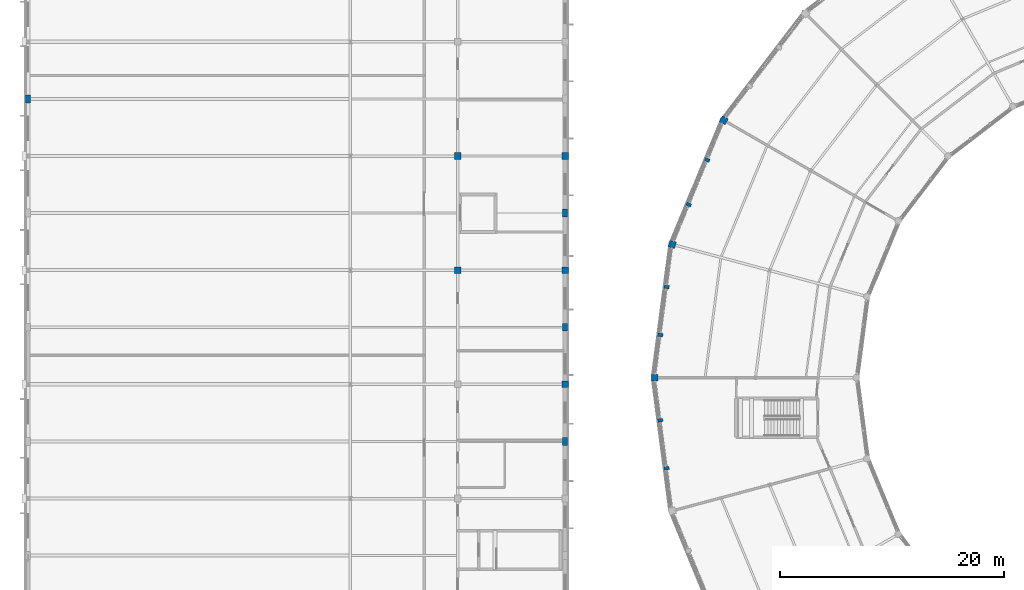
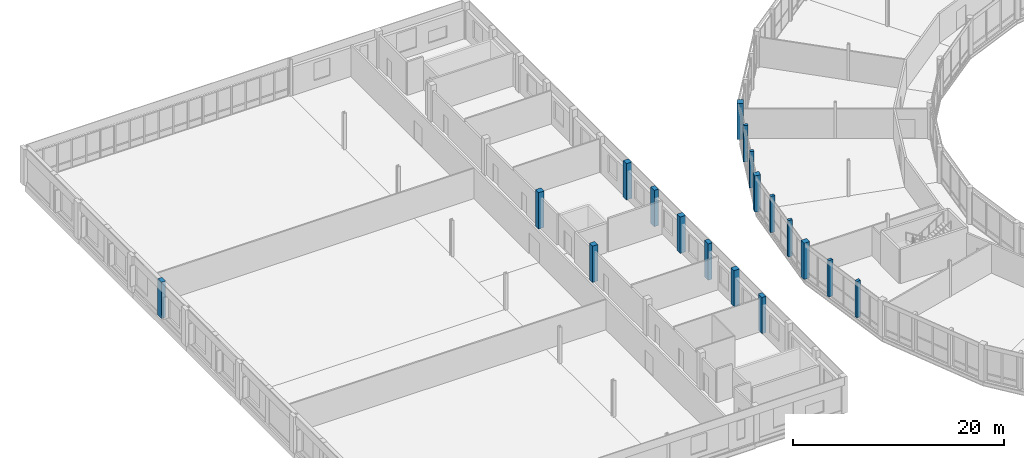
# One storey, part 7 of 185: 18 columns.
"""IFC4 building model written with IfcOpenShell, lengths in metres."""

from ifc_helpers import new_model, si_unit, direction, frame, origin, origin_2d, place, context, subcontext, project, spatial, rectangle, extrude, material, material_profile, profile_set, type_object, element, save


model = new_model("IFC4")

# Units and contexts
model_context = context("Model", 3, precision=1e-05, world=origin(), true_north=direction((0.0, 1.0)))
body_context = subcontext(model_context, "Body", "Model", "MODEL_VIEW")
ifc_project = project(units=[si_unit("LENGTHUNIT", "METRE"), si_unit("AREAUNIT", "SQUARE_METRE"), si_unit("VOLUMEUNIT", "CUBIC_METRE"), si_unit("PLANEANGLEUNIT", "RADIAN"), si_unit("MASSUNIT", "GRAM", prefix="KILO")], contexts=[model_context])

# Site, building, storey
site_placement = place(None, origin())
site = spatial("IfcSite", under=ifc_project, at=site_placement, CompositionType="ELEMENT")
building_placement = place(site_placement, origin())
building = spatial("IfcBuilding", under=site, at=building_placement, Name="Vondelvale Polytechnic", CompositionType="ELEMENT")
storey_placement = place(building_placement, frame((0.0, 0.0, 9.60009765625)))
storey = spatial("IfcBuildingStorey", under=building, at=storey_placement, Name="L02", CompositionType="ELEMENT", Elevation=9.60009765625)

# Columns
ifc_material_1 = material(Name="Glulam GL18 structural Tasmanian oak (fb = 42 MPa)", Category="wood")
ifc_material_profile_1 = material_profile(ifc_material_1, rectangle(XDim=0.300048828125, YDim=0.449951171875, at=origin_2d()), Name="GL-POST-300x450")
ifc_profile_set_1 = profile_set([ifc_material_profile_1], Name="Glulam GL18 structural Tasmanian oak (fb = 42 MPa)")
column_type_1 = type_object("IfcColumnType", Name="COL-GLULAM-300x450", PredefinedType="PILASTER", material=ifc_profile_set_1)
for number, where, z_axis, x_axis, name in (
    (1, (60.6923828125, 91.44970703125, 0.0), (0.0, 0.0, 1.0), (0.382683432365, 0.923879532511, 0.0), "L02 ring outer glulam timber post C10-P1"),
    (2, (59.037841796875, 87.455810546875, 0.0), (0.0, 0.0, 1.0), (0.382683432365, 0.923879532511, 0.0), "L02 ring outer glulam timber post C10-P2"),
    (3, (57.06591796875, 80.095947265625, 0.0), (0.0, 0.0, 1.0), (0.13052619222, 0.991444861374, 0.0), "L02 ring outer glulam timber post C11-P1"),
    (4, (56.501708984375, 75.809814453125, 0.0), (0.0, 0.0, 1.0), (0.13052619222, 0.991444861374, 0.0), "L02 ring outer glulam timber post C11-P2"),
    (5, (56.501708984375, 68.190185546875, 0.0), (0.0, 0.0, 1.0), (-0.13052619222, 0.991444861374, 0.0), "L02 ring outer glulam timber post C12-P1"),
    (6, (57.06591796875, 63.904052734375, 0.0), (0.0, 0.0, 1.0), (-0.13052619222, 0.991444861374, 0.0), "L02 ring outer glulam timber post C12-P2"),
):
    element("IfcColumn", number, at=place(storey_placement, frame(where, z_axis=z_axis, x_axis=x_axis)), inside=storey, type_object=column_type_1, Name=name, PredefinedType="PILASTER", context=body_context, shape_type="SweptSolid", body=[
        extrude(rectangle(XDim=0.300048828125, YDim=0.449951171875, at=origin_2d()), origin(), (0.0, 0.0, 1.0), 4.199951171875),
    ])
ifc_material_2 = material(Name="Concrete N50 (f'c = 50 MPa)", Category="concrete")
ifc_material_profile_2 = material_profile(ifc_material_2, rectangle(XDim=0.60009765625, YDim=0.60009765625, at=origin_2d()), Name="RC-COL-600x600")
ifc_profile_set_2 = profile_set([ifc_material_profile_2], Name="Concrete N50 (f'c = 50 MPa)")
column_type_2 = type_object("IfcColumnType", Name="COL-RC600", PredefinedType="COLUMN", material=ifc_profile_set_2)
for number, where, z_axis, x_axis, name in (
    (7, (48.0, 71.39990234375, 0.0), (0.0, 0.0, 1.0), (1.0, 0.0, 0.0), "L02 workshop column (48.0,71.4)"),
    (8, (38.39990234375, 81.60009765625, 0.0), (0.0, 0.0, 1.0), (1.0, 0.0, 0.0), "L02 workshop column (38.4,81.6)"),
    (9, (48.0, 81.60009765625, 0.0), (0.0, 0.0, 1.0), (1.0, 0.0, 0.0), "L02 workshop column (48.0,81.6)"),
    (10, (38.39990234375, 91.800048828125, 0.0), (0.0, 0.0, 1.0), (1.0, 0.0, 0.0), "L02 workshop column (38.4,91.8)"),
    (11, (48.0, 91.800048828125, 0.0), (0.0, 0.0, 1.0), (1.0, 0.0, 0.0), "L02 workshop column (48.0,91.8)"),
    (12, (62.162841796875, 95.0, 0.0), (0.0, 0.0, 1.0), (-0.866025403784, 0.5, 0.0), "L02 courtyard ring column S10-RO"),
    (13, (57.5673828125, 83.90576171875, 0.0), (0.0, 0.0, 1.0), (-0.965925826289, 0.258819045103, 0.0), "L02 courtyard ring column S11-RO"),
    (14, (56.0, 72.0, 0.0), (0.0, 0.0, 1.0), (1.0, 0.0, 0.0), "L02 courtyard ring column S12-RO"),
):
    element("IfcColumn", number, at=place(storey_placement, frame(where, z_axis=z_axis, x_axis=x_axis)), inside=storey, type_object=column_type_2, Name=name, PredefinedType="COLUMN", context=body_context, shape_type="SweptSolid", body=[
        extrude(rectangle(XDim=0.60009765625, YDim=0.60009765625, at=origin_2d()), origin(), (0.0, 0.0, 1.0), 4.199951171875),
    ])
ifc_material_profile_3 = material_profile(ifc_material_2, rectangle(XDim=0.449951171875, YDim=0.699951171875, at=origin_2d()), Name="RC-PIL-700x450")
ifc_profile_set_3 = profile_set([ifc_material_profile_3], Name="Concrete N50 (f'c = 50 MPa)")
column_type_3 = type_object("IfcColumnType", Name="PIL-RC700x450", PredefinedType="PILASTER", material=ifc_profile_set_3)
for number, where, z_axis, x_axis, name in (
    (15, (48.0, 66.300048828125, 0.0), (0.0, 0.0, 1.0), (1.0, 0.0, 0.0), "L02 East workshop brick pilaster 2"),
    (16, (48.0, 76.5, 0.0), (0.0, 0.0, 1.0), (1.0, 0.0, 0.0), "L02 East workshop brick pilaster 3"),
    (17, (48.0, 86.699951171875, 0.0), (0.0, 0.0, 1.0), (1.0, 0.0, 0.0), "L02 East workshop brick pilaster 4"),
    (18, (0.0, 96.89990234375, 0.0), (0.0, 0.0, 1.0), (1.0, 0.0, 0.0), "L02 West workshop brick pilaster 5"),
):
    element("IfcColumn", number, at=place(storey_placement, frame(where, z_axis=z_axis, x_axis=x_axis)), inside=storey, type_object=column_type_3, Name=name, PredefinedType="PILASTER", context=body_context, shape_type="SweptSolid", body=[
        extrude(rectangle(XDim=0.449951171875, YDim=0.699951171875, at=origin_2d()), origin(), (0.0, 0.0, 1.0), 4.199951171875),
    ])

save(model, "model.ifc")
